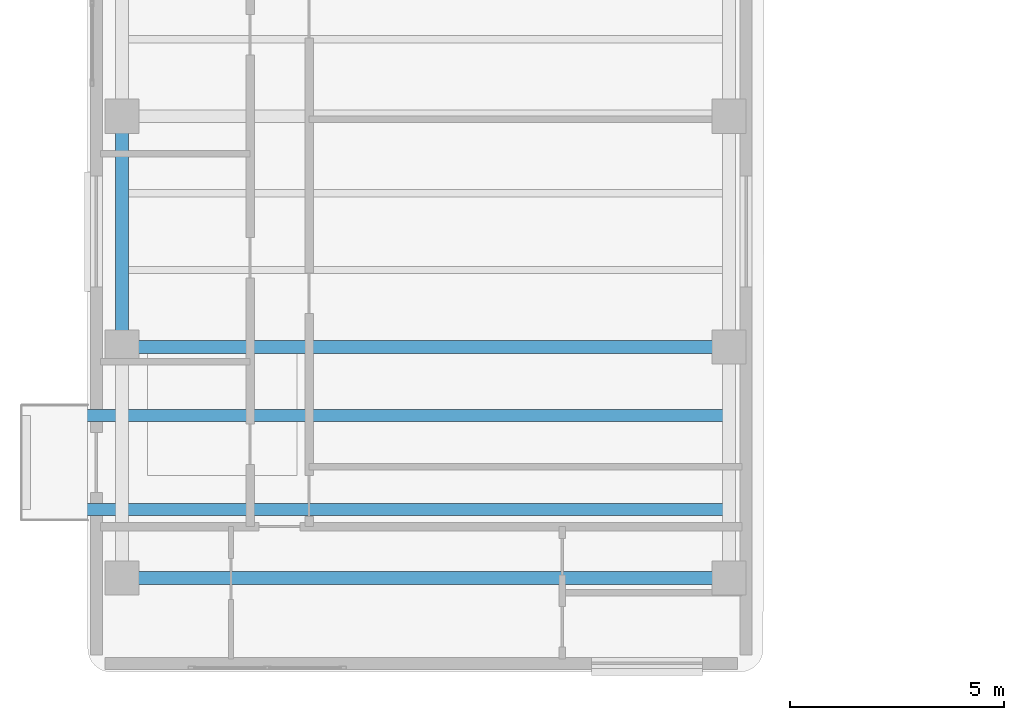
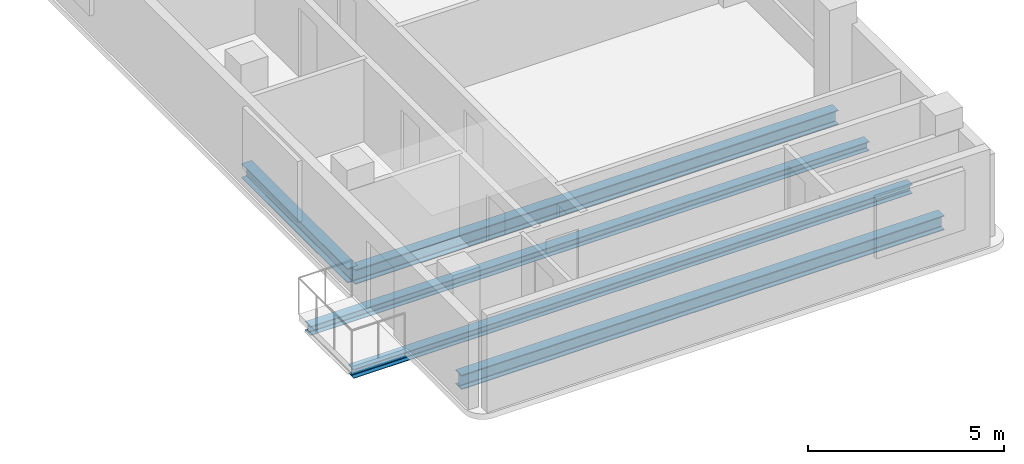
# One storey, part 3 of 11: 5 beams.
"""IFC4 building model written with IfcOpenShell, lengths in metres."""

from ifc_helpers import new_model, si_unit, direction, frame, origin, origin_2d, place, context, subcontext, project, spatial, i_section, extrude, material, material_profile, profile_set, type_object, element, save


model = new_model("IFC4")

# Units and contexts
model_context = context("Model", 3, precision=1e-05, world=origin(), true_north=direction((0.0, 1.0)))
body_context = subcontext(model_context, "Body", "Model", "MODEL_VIEW")
ifc_project = project(units=[si_unit("LENGTHUNIT", "METRE"), si_unit("AREAUNIT", "SQUARE_METRE"), si_unit("VOLUMEUNIT", "CUBIC_METRE"), si_unit("PLANEANGLEUNIT", "RADIAN"), si_unit("MASSUNIT", "GRAM", prefix="KILO")], contexts=[model_context])

# Site, building, storey
site_placement = place(None, origin())
site = spatial("IfcSite", under=ifc_project, at=site_placement, CompositionType="ELEMENT")
building_placement = place(site_placement, origin())
building = spatial("IfcBuilding", under=site, at=building_placement, Name="Kuzgunbayir Cultural Tower", CompositionType="ELEMENT")
storey_placement = place(building_placement, frame((0.0, 0.0, 244.0)))
storey = spatial("IfcBuildingStorey", under=building, at=storey_placement, Name="L72", CompositionType="ELEMENT", Elevation=244.0)

# Beams
ifc_material = material(Name="Steel S355J2", Category="steel")
ifc_material_profile_1 = material_profile(ifc_material, i_section(OverallWidth=0.280029296875, OverallDepth=0.280029296875, WebThickness=0.010498046875, FlangeThickness=0.01806640625, FilletRadius=0.02392578125, at=origin_2d()), Name="HEB 280")
ifc_profile_set_1 = profile_set([ifc_material_profile_1], Name="Steel S355J2")
beam_type_1 = type_object("IfcBeamType", Name="BM-BAL-HEB280", PredefinedType="BEAM", material=ifc_profile_set_1)
for number, where, z_axis, x_axis, name in (
    (1, (3.159912109375, 14.199951171875, -0.340087890625), (1.0, 0.0, 0.0), (0.0, 1.0, 0.0), "L72 Balcony Outrigger Beam BAL-L72-WA1.1"),
    (2, (3.159912109375, 16.39990234375, -0.340087890625), (1.0, 0.0, 0.0), (0.0, 1.0, 0.0), "L72 Balcony Outrigger Beam BAL-L72-WA1.2"),
):
    element("IfcBeam", number, at=place(storey_placement, frame(where, z_axis=z_axis, x_axis=x_axis)), inside=storey, type_object=beam_type_1, Name=name, PredefinedType="BEAM", context=body_context, shape_type="SweptSolid", body=[
        extrude(i_section(OverallWidth=0.280029296875, OverallDepth=0.280029296875, WebThickness=0.010498046875, FlangeThickness=0.01806640625, FilletRadius=0.02392578125, at=origin_2d()), origin(), (0.0, 0.0, 1.0), 16.440185546875),
    ])
ifc_material_profile_2 = material_profile(ifc_material, i_section(OverallWidth=0.300048828125, OverallDepth=0.449951171875, WebThickness=0.013916015625, FlangeThickness=0.02587890625, FilletRadius=0.027099609375, at=origin_2d()), Name="HEB 450")
ifc_profile_set_2 = profile_set([ifc_material_profile_2], Name="Steel S355J2")
beam_type_2 = type_object("IfcBeamType", Name="BM-EXT-HEB450", PredefinedType="BEAM", material=ifc_profile_set_2)
beam_placement = place(storey_placement, frame((5.39990234375, 18.0, -0.409912109375), z_axis=(0.0, 1.0, 0.0), x_axis=(-1.0, 0.0, 0.0)))
element("IfcBeam", 3, at=beam_placement, inside=storey, type_object=beam_type_2, Name="L72 Wing A West Girder 2", PredefinedType="BEAM", context=body_context, shape_type="SweptSolid", body=[
    extrude(i_section(OverallWidth=0.300048828125, OverallDepth=0.449951171875, WebThickness=0.013916015625, FlangeThickness=0.02587890625, FilletRadius=0.027099609375, at=origin_2d()), origin(), (0.0, 0.0, 1.0), 5.39990234375),
])
ifc_material_profile_3 = material_profile(ifc_material, i_section(OverallWidth=0.300048828125, OverallDepth=0.449951171875, WebThickness=0.013916015625, FlangeThickness=0.02587890625, FilletRadius=0.027099609375, at=origin_2d()), Name="HEB 450")
ifc_profile_set_3 = profile_set([ifc_material_profile_3], Name="Steel S355J2")
beam_type_3 = type_object("IfcBeamType", Name="BM-GIR-HEB450", PredefinedType="BEAM", material=ifc_profile_set_3)
for number, where, z_axis, x_axis, name in (
    (4, (5.39990234375, 12.60009765625, -0.409912109375), (1.0, 0.0, 0.0), (0.0, 1.0, 0.0), "L72 Wing A Transverse Girder 1"),
    (5, (5.39990234375, 18.0, -0.409912109375), (1.0, 0.0, 0.0), (0.0, 1.0, 0.0), "L72 Wing A Transverse Girder 2"),
):
    element("IfcBeam", number, at=place(storey_placement, frame(where, z_axis=z_axis, x_axis=x_axis)), inside=storey, type_object=beam_type_3, Name=name, PredefinedType="BEAM", context=body_context, shape_type="SweptSolid", body=[
        extrude(i_section(OverallWidth=0.300048828125, OverallDepth=0.449951171875, WebThickness=0.013916015625, FlangeThickness=0.02587890625, FilletRadius=0.027099609375, at=origin_2d()), origin(), (0.0, 0.0, 1.0), 14.2001953125),
    ])

save(model, "model.ifc")
